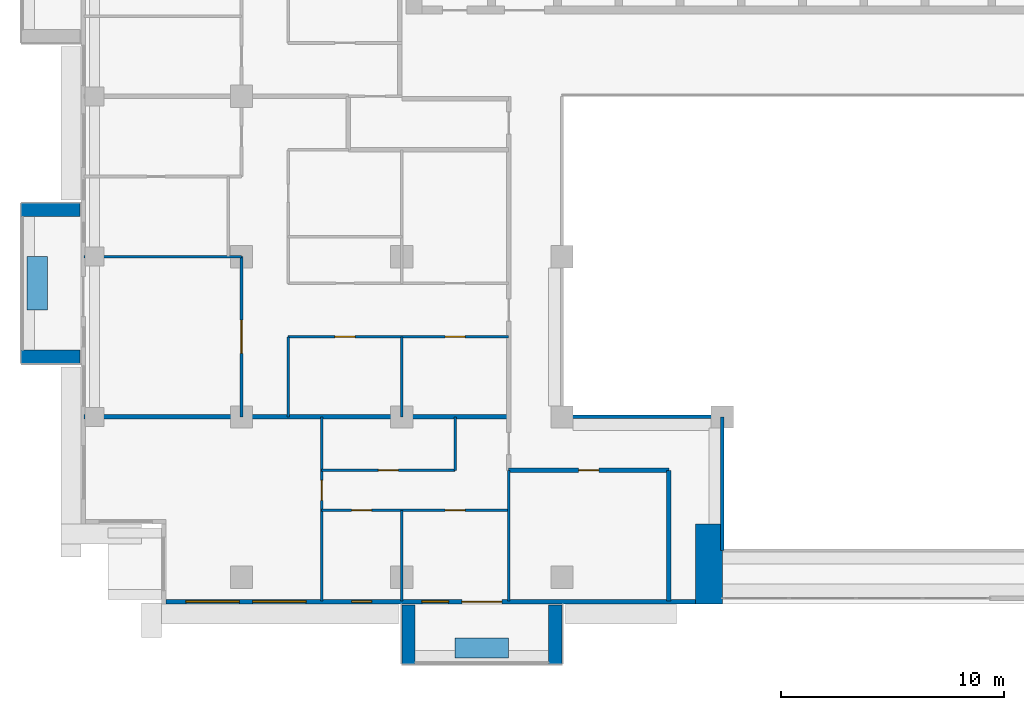
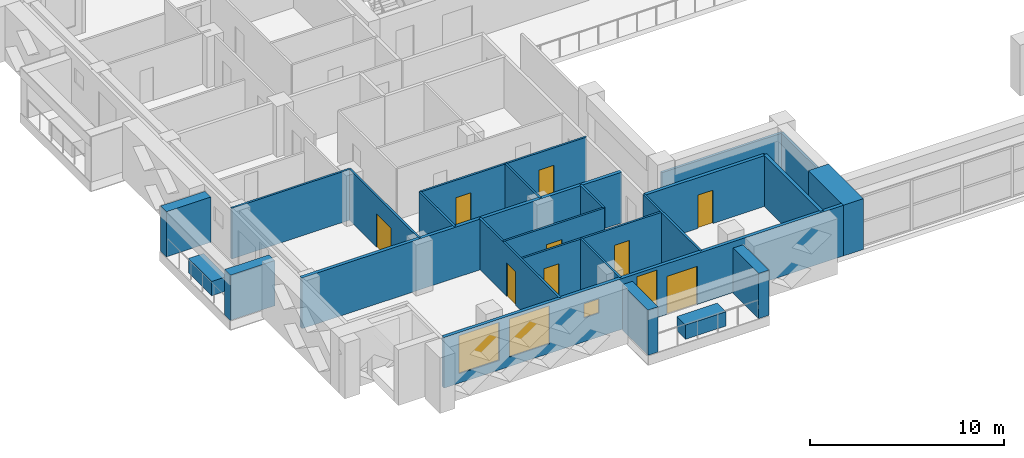
# One storey, part 6 of 20: 24 walls, 9 doors, 4 windows, 13 openings.
"""IFC4 building model written with IfcOpenShell, lengths in metres."""

from ifc_helpers import new_model, si_unit, direction, frame, frame_2d, origin, place, context, subcontext, project, spatial, rectangle, extrude, material, layer, layer_set, type_object, element, fill, save


model = new_model("IFC4")

# Units and contexts
model_context = context("Model", 3, precision=1e-05, world=origin(), true_north=direction((0.0, 1.0)))
body_context = subcontext(model_context, "Body", "Model", "MODEL_VIEW")
ifc_project = project(units=[si_unit("LENGTHUNIT", "METRE"), si_unit("AREAUNIT", "SQUARE_METRE"), si_unit("VOLUMEUNIT", "CUBIC_METRE"), si_unit("PLANEANGLEUNIT", "RADIAN"), si_unit("MASSUNIT", "GRAM", prefix="KILO")], contexts=[model_context])

# Site, building, storey
site_placement = place(None, origin())
site = spatial("IfcSite", under=ifc_project, at=site_placement, CompositionType="ELEMENT")
building_placement = place(site_placement, origin())
building = spatial("IfcBuilding", under=site, at=building_placement, Name="Saffron Iwan Residences", CompositionType="ELEMENT")
storey_placement = place(building_placement, frame((0.0, 0.0, 150.0)))
storey = spatial("IfcBuildingStorey", under=building, at=storey_placement, Name="L39", CompositionType="ELEMENT", Elevation=150.0)

# Walls
ifc_material_1 = material(Name="Fire-rated glazing", Category="glass")
ifc_layer_1 = layer(ifc_material_1, 0.14990234375)
ifc_layer_set_1 = layer_set([ifc_layer_1], Name="Fire-rated glazing")
wall_type_1 = type_object("IfcWallType", Name="Atrium glazed screen 150", PredefinedType="SOLIDWALL", material=ifc_layer_set_1)
wall_1_placement = place(storey_placement, frame((36.0, 48.0, 0.0), z_axis=(0.0, 0.0, 1.0), x_axis=(1.0, 0.0, 0.0)))
element("IfcWall", 1, at=wall_1_placement, inside=storey, type_object=wall_type_1, Name="W-L39-SCREEN-h48-36", PredefinedType="SOLIDWALL", context=body_context, shape_type="SweptSolid", body=[
    extrude(rectangle(XDim=7.199951171875, YDim=0.14990234375, at=frame_2d((3.60009765625, 0.0))), origin(), (0.0, 0.0, 1.0), 2.300048828125),
])
wall_2_placement = place(storey_placement, frame((43.199951171875, 42.0, 0.0), z_axis=(0.0, 0.0, 1.0), x_axis=(0.0, 1.0, 0.0)))
element("IfcWall", 2, at=wall_2_placement, inside=storey, type_object=wall_type_1, Name="W-L39-SCREEN-v43.2-42", PredefinedType="SOLIDWALL", context=body_context, shape_type="SweptSolid", body=[
    extrude(rectangle(XDim=6.0, YDim=0.14990234375, at=frame_2d((3.0, 0.0))), origin(), (0.0, 0.0, 1.0), 2.300048828125),
])
ifc_material_2 = material(Name="Concrete C50/60 white painted", Category="concrete")
ifc_layer_2 = layer(ifc_material_2, 0.60009765625)
ifc_layer_set_2 = layer_set([ifc_layer_2], Name="Concrete C50/60 white painted")
wall_type_2 = type_object("IfcWallType", Name="BALCONY FIN 600", PredefinedType="SOLIDWALL", material=ifc_layer_set_2)
for number, where, z_axis, x_axis, name in (
    (3, (14.35009765625, 57.300048828125, 0.0), (0.0, 0.0, 1.0), (-1.0, 0.0, 0.0), "Balcony fin L39 F8-1a"),
    (4, (14.35009765625, 50.699951171875, 0.0), (0.0, 0.0, 1.0), (-1.0, 0.0, 0.0), "Balcony fin L39 F8-1b"),
    (5, (29.10009765625, 39.550048828125, 0.0), (0.0, 0.0, 1.0), (0.0, -1.0, 0.0), "Balcony fin L39 11-0a"),
    (6, (35.699951171875, 39.550048828125, 0.0), (0.0, 0.0, 1.0), (0.0, -1.0, 0.0), "Balcony fin L39 11-0b"),
):
    element("IfcWall", number, at=place(storey_placement, frame(where, z_axis=z_axis, x_axis=x_axis)), inside=storey, type_object=wall_type_2, Name=name, PredefinedType="SOLIDWALL", context=body_context, shape_type="SweptSolid", body=[
        extrude(rectangle(XDim=2.650146484375, YDim=0.60009765625, at=frame_2d((1.3251953125, 0.0))), origin(), (0.0, 0.0, 1.0), 2.85009765625),
    ])
ifc_material_3 = material(Name="Concrete C35/45 white painted", Category="concrete")
ifc_layer_3 = layer(ifc_material_3, 0.14990234375)
ifc_layer_set_3 = layer_set([ifc_layer_3], Name="Concrete C35/45 white painted")
wall_type_3 = type_object("IfcWallType", Name="BALCONY PLANTER", PredefinedType="SOLIDWALL", material=ifc_layer_set_3)
wall_3_placement = place(storey_placement, frame((12.425048828125, 55.199951171875, 0.0), z_axis=(0.0, 0.0, 1.0), x_axis=(0.0, -1.0, 0.0)))
element("IfcWall", 7, at=wall_3_placement, inside=storey, type_object=wall_type_3, Name="PLANTER L39 F8-1", PredefinedType="SOLIDWALL", context=body_context, shape_type="SweptSolid", body=[
    extrude(rectangle(XDim=2.39990234375, YDim=0.89990234375, at=frame_2d((1.199951171875, 0.0))), origin(), (0.0, 0.0, 1.0), 0.89990234375),
])
wall_4_placement = place(storey_placement, frame((31.199951171875, 37.625, 0.0), z_axis=(0.0, 0.0, 1.0), x_axis=(1.0, 0.0, 0.0)))
element("IfcWall", 8, at=wall_4_placement, inside=storey, type_object=wall_type_3, Name="PLANTER L39 11-0", PredefinedType="SOLIDWALL", context=body_context, shape_type="SweptSolid", body=[
    extrude(rectangle(XDim=2.400146484375, YDim=0.89990234375, at=frame_2d((1.2001953125, 0.0))), origin(), (0.0, 0.0, 1.0), 0.89990234375),
])

# Wall, openings, door, windows
ifc_material_4 = material(Name="Concrete C40/50", Category="concrete")
ifc_layer_4 = layer(ifc_material_4, 0.199951171875)
ifc_layer_set_4 = layer_set([ifc_layer_4], Name="Concrete C40/50")
wall_type_4 = type_object("IfcWallType", Name="EXTERNAL WALL 200", PredefinedType="SOLIDWALL", material=ifc_layer_set_4)
wall_5_placement = place(storey_placement, frame((18.199951171875, 39.699951171875, 0.0), z_axis=(0.0, 0.0, 1.0), x_axis=(1.0, 0.0, 0.0)))
wall_5 = element("IfcWall", 9, at=wall_5_placement, inside=storey, type_object=wall_type_4, Name="External wall L39 F11.0", PredefinedType="SOLIDWALL", context=body_context, shape_type="SweptSolid", body=[
    extrude(rectangle(XDim=23.800048828125, YDim=0.199951171875, at=frame_2d((11.89990234375, 0.0))), origin(), (0.0, 0.0, 1.0), 3.199951171875),
])
opening_1_placement = place(wall_5_placement, frame((13.300048828125, 0.0, 0.0)))
opening_1 = element("IfcOpeningElement", 10, at=opening_1_placement, cuts=wall_5, Name="Opening BD1", PredefinedType="OPENING", context=body_context, shape_type="SweptSolid", body=[
    extrude(rectangle(XDim=1.800048828125, YDim=2.39990234375, at=frame_2d((0.89990234375, 1.199951171875))), frame((0.0, 0.10986328125, 0.0), z_axis=(0.0, -1.0, 0.0), x_axis=(1.0, 0.0, 0.0)), (0.0, 0.0, 1.0), 0.219970703125),
])
opening_2_placement = place(wall_5_placement, frame((0.89990234375, 0.0, 0.60009765625)))
opening_2 = element("IfcOpeningElement", 11, at=opening_2_placement, cuts=wall_5, Name="Opening W1", PredefinedType="OPENING", context=body_context, shape_type="SweptSolid", body=[
    extrude(rectangle(XDim=2.39990234375, YDim=2.39990234375, at=frame_2d((1.199951171875, 1.199951171875))), frame((0.0, 0.10986328125, 0.0), z_axis=(0.0, -1.0, 0.0), x_axis=(1.0, 0.0, 0.0)), (0.0, 0.0, 1.0), 0.219970703125),
])
opening_3_placement = place(wall_5_placement, frame((3.89990234375, 0.0, 0.60009765625)))
opening_3 = element("IfcOpeningElement", 12, at=opening_3_placement, cuts=wall_5, Name="Opening W1", PredefinedType="OPENING", context=body_context, shape_type="SweptSolid", body=[
    extrude(rectangle(XDim=2.39990234375, YDim=2.39990234375, at=frame_2d((1.199951171875, 1.199951171875))), frame((0.0, 0.10986328125, 0.0), z_axis=(0.0, -1.0, 0.0), x_axis=(1.0, 0.0, 0.0)), (0.0, 0.0, 1.0), 0.219970703125),
])
opening_4_placement = place(wall_5_placement, frame((8.35009765625, 0.0, 1.5)))
opening_4 = element("IfcOpeningElement", 13, at=opening_4_placement, cuts=wall_5, Name="Opening W6", PredefinedType="OPENING", context=body_context, shape_type="SweptSolid", body=[
    extrude(rectangle(XDim=0.89990234375, YDim=0.89990234375, at=frame_2d((0.449951171875, 0.449951171875))), frame((0.0, 0.10986328125, 0.0), z_axis=(0.0, -1.0, 0.0), x_axis=(1.0, 0.0, 0.0)), (0.0, 0.0, 1.0), 0.219970703125),
])
opening_5_placement = place(wall_5_placement, frame((11.5, 0.0, 0.60009765625)))
opening_5 = element("IfcOpeningElement", 14, at=opening_5_placement, cuts=wall_5, Name="Opening W3", PredefinedType="OPENING", context=body_context, shape_type="SweptSolid", body=[
    extrude(rectangle(XDim=1.199951171875, YDim=2.39990234375, at=frame_2d((0.60009765625, 1.199951171875))), frame((0.0, 0.10986328125, 0.0), z_axis=(0.0, -1.0, 0.0), x_axis=(1.0, 0.0, 0.0)), (0.0, 0.0, 1.0), 0.219970703125),
])
ifc_material_5 = material(Name="Clear glass, laminated double glazed", Category="glass")
door_type_1 = type_object("IfcDoorType", Name="BALCONY DOOR 1800 x 2400", OperationType="DOUBLE_DOOR_SLIDING", PredefinedType="DOOR", material=ifc_material_5)
door_1_placement = place(opening_1_placement, origin())
door_1 = element("IfcDoor", 15, at=door_1_placement, inside=storey, type_object=door_type_1, Name="Balcony door L39 F11.0", OperationType="DOUBLE_DOOR_SLIDING", OverallHeight=2.39990234375, OverallWidth=1.800048828125, PredefinedType="DOOR", context=body_context, shape_type="SweptSolid", body=[
    extrude(rectangle(XDim=1.800048828125, YDim=2.39990234375, at=frame_2d((0.89990234375, 1.199951171875))), frame((0.0, 0.02490234375, 0.0), z_axis=(0.0, -1.0, 0.0), x_axis=(1.0, 0.0, 0.0)), (0.0, 0.0, 1.0), 0.050048828125),
])
fill(opening_1, door_1)
window_type_1 = type_object("IfcWindowType", Name="WINDOW 1200 x 2400", PartitioningType="SINGLE_PANEL", PredefinedType="WINDOW", material=ifc_material_5)
window_1_placement = place(opening_5_placement, origin())
window_1 = element("IfcWindow", 16, at=window_1_placement, inside=storey, type_object=window_type_1, Name="Window L39 F11.4", OverallHeight=2.39990234375, OverallWidth=1.199951171875, PartitioningType="SINGLE_PANEL", PredefinedType="WINDOW", context=body_context, shape_type="SweptSolid", body=[
    extrude(rectangle(XDim=1.199951171875, YDim=2.39990234375, at=frame_2d((0.60009765625, 1.199951171875))), frame((0.0, 0.030029296875, 0.0), z_axis=(0.0, -1.0, 0.0), x_axis=(1.0, 0.0, 0.0)), (0.0, 0.0, 1.0), 0.06005859375),
])
fill(opening_5, window_1)
window_type_2 = type_object("IfcWindowType", Name="WINDOW 2400 x 2400", PartitioningType="DOUBLE_PANEL_VERTICAL", PredefinedType="WINDOW", material=ifc_material_5)
window_2_placement = place(opening_2_placement, origin())
window_2 = element("IfcWindow", 17, at=window_2_placement, inside=storey, type_object=window_type_2, Name="Window L39 F11.1", OverallHeight=2.39990234375, OverallWidth=2.39990234375, PartitioningType="DOUBLE_PANEL_VERTICAL", PredefinedType="WINDOW", context=body_context, shape_type="SweptSolid", body=[
    extrude(rectangle(XDim=2.39990234375, YDim=2.39990234375, at=frame_2d((1.199951171875, 1.199951171875))), frame((0.0, 0.030029296875, 0.0), z_axis=(0.0, -1.0, 0.0), x_axis=(1.0, 0.0, 0.0)), (0.0, 0.0, 1.0), 0.06005859375),
])
fill(opening_2, window_2)
window_3_placement = place(opening_3_placement, origin())
window_3 = element("IfcWindow", 18, at=window_3_placement, inside=storey, type_object=window_type_2, Name="Window L39 F11.2", OverallHeight=2.39990234375, OverallWidth=2.39990234375, PartitioningType="DOUBLE_PANEL_VERTICAL", PredefinedType="WINDOW", context=body_context, shape_type="SweptSolid", body=[
    extrude(rectangle(XDim=2.39990234375, YDim=2.39990234375, at=frame_2d((1.199951171875, 1.199951171875))), frame((0.0, 0.030029296875, 0.0), z_axis=(0.0, -1.0, 0.0), x_axis=(1.0, 0.0, 0.0)), (0.0, 0.0, 1.0), 0.06005859375),
])
fill(opening_3, window_3)
window_type_3 = type_object("IfcWindowType", Name="WINDOW 900 x 900 BATH", PartitioningType="SINGLE_PANEL", PredefinedType="WINDOW", material=ifc_material_5)
window_4_placement = place(opening_4_placement, origin())
window_4 = element("IfcWindow", 19, at=window_4_placement, inside=storey, type_object=window_type_3, Name="Window L39 F11.3", OverallHeight=0.89990234375, OverallWidth=0.89990234375, PartitioningType="SINGLE_PANEL", PredefinedType="WINDOW", context=body_context, shape_type="SweptSolid", body=[
    extrude(rectangle(XDim=0.89990234375, YDim=0.89990234375, at=frame_2d((0.449951171875, 0.449951171875))), frame((0.0, 0.030029296875, 0.0), z_axis=(0.0, -1.0, 0.0), x_axis=(1.0, 0.0, 0.0)), (0.0, 0.0, 1.0), 0.06005859375),
])
fill(opening_4, window_4)

# Wall
ifc_material_6 = material(Name="Fire-rated gypsum board wall")
ifc_layer_5 = layer(ifc_material_6, 0.199951171875)
ifc_layer_set_5 = layer_set([ifc_layer_5], Name="Fire-rated gypsum board wall")
wall_type_5 = type_object("IfcWallType", Name="Flat demising wall 200", PredefinedType="SOLIDWALL", material=ifc_layer_set_5)
wall_6_placement = place(storey_placement, frame((14.52490234375, 48.0, 0.0), z_axis=(0.0, 0.0, 1.0), x_axis=(1.0, 0.0, 0.0)))
element("IfcWall", 20, at=wall_6_placement, inside=storey, type_object=wall_type_5, Name="W-L39-DEMISE-h48-14.525", PredefinedType="SOLIDWALL", context=body_context, shape_type="SweptSolid", body=[
    extrude(rectangle(XDim=19.0751953125, YDim=0.199951171875, at=frame_2d((9.53759765625, 0.0))), origin(), (0.0, 0.0, 1.0), 3.199951171875),
])

# Wall, openings, doors
ifc_material_7 = material(Name="Gypsum board partition")
ifc_layer_6 = layer(ifc_material_7, 0.1201171875)
ifc_layer_set_6 = layer_set([ifc_layer_6], Name="Gypsum board partition")
wall_type_6 = type_object("IfcWallType", Name="Flat partition 120", PredefinedType="PARTITIONING", material=ifc_layer_set_6)
wall_7_placement = place(storey_placement, frame((25.199951171875, 43.800048828125, 0.0), z_axis=(0.0, 0.0, 1.0), x_axis=(1.0, 0.0, 0.0)))
wall_7 = element("IfcWall", 21, at=wall_7_placement, inside=storey, type_object=wall_type_6, Name="W-L39-PART-h43.8-25.2", PredefinedType="PARTITIONING", context=body_context, shape_type="SweptSolid", body=[
    extrude(rectangle(XDim=8.400146484375, YDim=0.1201171875, at=frame_2d((4.2001953125, 0.0))), origin(), (0.0, 0.0, 1.0), 3.199951171875),
])
opening_6_placement = place(wall_7_placement, frame((1.35009765625, 0.0, 0.0)))
opening_6 = element("IfcOpeningElement", 22, at=opening_6_placement, cuts=wall_7, Name="Opening FD2", PredefinedType="OPENING", context=body_context, shape_type="SweptSolid", body=[
    extrude(rectangle(XDim=0.89990234375, YDim=2.10009765625, at=frame_2d((0.449951171875, 1.050048828125))), frame((0.0, 0.070068359375, 0.0), z_axis=(0.0, -1.0, 0.0), x_axis=(1.0, 0.0, 0.0)), (0.0, 0.0, 1.0), 0.14013671875),
])
opening_7_placement = place(wall_7_placement, frame((5.550048828125, 0.0, 0.0)))
opening_7 = element("IfcOpeningElement", 23, at=opening_7_placement, cuts=wall_7, Name="Opening FD2", PredefinedType="OPENING", context=body_context, shape_type="SweptSolid", body=[
    extrude(rectangle(XDim=0.89990234375, YDim=2.10009765625, at=frame_2d((0.449951171875, 1.050048828125))), frame((0.0, 0.070068359375, 0.0), z_axis=(0.0, -1.0, 0.0), x_axis=(1.0, 0.0, 0.0)), (0.0, 0.0, 1.0), 0.14013671875),
])
ifc_material_8 = material(Name="Timber door", Category="wood")
door_type_2 = type_object("IfcDoorType", Name="Flat door 900", OperationType="NOTDEFINED", PredefinedType="DOOR", material=ifc_material_8)
door_2_placement = place(opening_6_placement, origin())
door_2 = element("IfcDoor", 24, at=door_2_placement, inside=storey, type_object=door_type_2, Name="Door L39-003", OperationType="SINGLE_SWING_LEFT", OverallHeight=2.10009765625, OverallWidth=0.89990234375, PredefinedType="DOOR", context=body_context, shape_type="SweptSolid", body=[
    extrude(rectangle(XDim=0.89990234375, YDim=2.10009765625, at=frame_2d((0.449951171875, 1.050048828125))), frame((0.0, 0.02490234375, 0.0), z_axis=(0.0, -1.0, 0.0), x_axis=(1.0, 0.0, 0.0)), (0.0, 0.0, 1.0), 0.050048828125),
])
fill(opening_6, door_2)
door_3_placement = place(opening_7_placement, origin())
door_3 = element("IfcDoor", 25, at=door_3_placement, inside=storey, type_object=door_type_2, Name="Door L39-004", OperationType="SINGLE_SWING_RIGHT", OverallHeight=2.10009765625, OverallWidth=0.89990234375, PredefinedType="DOOR", context=body_context, shape_type="SweptSolid", body=[
    extrude(rectangle(XDim=0.89990234375, YDim=2.10009765625, at=frame_2d((0.449951171875, 1.050048828125))), frame((0.0, 0.02490234375, 0.0), z_axis=(0.0, -1.0, 0.0), x_axis=(1.0, 0.0, 0.0)), (0.0, 0.0, 1.0), 0.050048828125),
])
fill(opening_7, door_3)

# Wall, opening, door
wall_8_placement = place(storey_placement, frame((25.199951171875, 45.60009765625, 0.0), z_axis=(0.0, 0.0, 1.0), x_axis=(1.0, 0.0, 0.0)))
wall_8 = element("IfcWall", 26, at=wall_8_placement, inside=storey, type_object=wall_type_6, Name="W-L39-PART-h45.6-25.2", PredefinedType="PARTITIONING", context=body_context, shape_type="SweptSolid", body=[
    extrude(rectangle(XDim=6.0, YDim=0.1201171875, at=frame_2d((3.0, 0.0))), origin(), (0.0, 0.0, 1.0), 3.199951171875),
])
opening_8_placement = place(wall_8_placement, frame((2.550048828125, 0.0, 0.0)))
opening_8 = element("IfcOpeningElement", 27, at=opening_8_placement, cuts=wall_8, Name="Opening FD2", PredefinedType="OPENING", context=body_context, shape_type="SweptSolid", body=[
    extrude(rectangle(XDim=0.89990234375, YDim=2.10009765625, at=frame_2d((0.449951171875, 1.050048828125))), frame((0.0, 0.070068359375, 0.0), z_axis=(0.0, -1.0, 0.0), x_axis=(1.0, 0.0, 0.0)), (0.0, 0.0, 1.0), 0.14013671875),
])
door_4_placement = place(opening_8_placement, origin())
door_4 = element("IfcDoor", 28, at=door_4_placement, inside=storey, type_object=door_type_2, Name="Door L39-005", OperationType="SINGLE_SWING_LEFT", OverallHeight=2.10009765625, OverallWidth=0.89990234375, PredefinedType="DOOR", context=body_context, shape_type="SweptSolid", body=[
    extrude(rectangle(XDim=0.89990234375, YDim=2.10009765625, at=frame_2d((0.449951171875, 1.050048828125))), frame((0.0, 0.02490234375, 0.0), z_axis=(0.0, -1.0, 0.0), x_axis=(1.0, 0.0, 0.0)), (0.0, 0.0, 1.0), 0.050048828125),
])
fill(opening_8, door_4)

# Wall, openings, doors
wall_9_placement = place(storey_placement, frame((23.699951171875, 51.60009765625, 0.0), z_axis=(0.0, 0.0, 1.0), x_axis=(1.0, 0.0, 0.0)))
wall_9 = element("IfcWall", 29, at=wall_9_placement, inside=storey, type_object=wall_type_6, Name="W-L39-PART-h51.6-23.7", PredefinedType="PARTITIONING", context=body_context, shape_type="SweptSolid", body=[
    extrude(rectangle(XDim=9.900146484375, YDim=0.1201171875, at=frame_2d((4.9501953125, 0.0))), origin(), (0.0, 0.0, 1.0), 3.199951171875),
])
opening_9_placement = place(wall_9_placement, frame((2.10009765625, 0.0, 0.0)))
opening_9 = element("IfcOpeningElement", 30, at=opening_9_placement, cuts=wall_9, Name="Opening FD2", PredefinedType="OPENING", context=body_context, shape_type="SweptSolid", body=[
    extrude(rectangle(XDim=0.89990234375, YDim=2.10009765625, at=frame_2d((0.449951171875, 1.050048828125))), frame((0.0, 0.070068359375, 0.0), z_axis=(0.0, -1.0, 0.0), x_axis=(1.0, 0.0, 0.0)), (0.0, 0.0, 1.0), 0.14013671875),
])
opening_10_placement = place(wall_9_placement, frame((7.050048828125, 0.0, 0.0)))
opening_10 = element("IfcOpeningElement", 31, at=opening_10_placement, cuts=wall_9, Name="Opening FD2", PredefinedType="OPENING", context=body_context, shape_type="SweptSolid", body=[
    extrude(rectangle(XDim=0.89990234375, YDim=2.10009765625, at=frame_2d((0.449951171875, 1.050048828125))), frame((0.0, 0.070068359375, 0.0), z_axis=(0.0, -1.0, 0.0), x_axis=(1.0, 0.0, 0.0)), (0.0, 0.0, 1.0), 0.14013671875),
])
door_5_placement = place(opening_9_placement, origin())
door_5 = element("IfcDoor", 32, at=door_5_placement, inside=storey, type_object=door_type_2, Name="Door L39-011", OperationType="SINGLE_SWING_LEFT", OverallHeight=2.10009765625, OverallWidth=0.89990234375, PredefinedType="DOOR", context=body_context, shape_type="SweptSolid", body=[
    extrude(rectangle(XDim=0.89990234375, YDim=2.10009765625, at=frame_2d((0.449951171875, 1.050048828125))), frame((0.0, 0.02490234375, 0.0), z_axis=(0.0, -1.0, 0.0), x_axis=(1.0, 0.0, 0.0)), (0.0, 0.0, 1.0), 0.050048828125),
])
fill(opening_9, door_5)
door_6_placement = place(opening_10_placement, origin())
door_6 = element("IfcDoor", 33, at=door_6_placement, inside=storey, type_object=door_type_2, Name="Door L39-014", OperationType="SINGLE_SWING_LEFT", OverallHeight=2.10009765625, OverallWidth=0.89990234375, PredefinedType="DOOR", context=body_context, shape_type="SweptSolid", body=[
    extrude(rectangle(XDim=0.89990234375, YDim=2.10009765625, at=frame_2d((0.449951171875, 1.050048828125))), frame((0.0, 0.02490234375, 0.0), z_axis=(0.0, -1.0, 0.0), x_axis=(1.0, 0.0, 0.0)), (0.0, 0.0, 1.0), 0.050048828125),
])
fill(opening_10, door_6)

# Wall
wall_10_placement = place(storey_placement, frame((14.52490234375, 55.199951171875, 0.0), z_axis=(0.0, 0.0, 1.0), x_axis=(1.0, 0.0, 0.0)))
element("IfcWall", 34, at=wall_10_placement, inside=storey, type_object=wall_type_6, Name="W-L39-PART-h55.2-14.525", PredefinedType="PARTITIONING", context=body_context, shape_type="SweptSolid", body=[
    extrude(rectangle(XDim=7.0751953125, YDim=0.1201171875, at=frame_2d((3.53759765625, 0.0))), origin(), (0.0, 0.0, 1.0), 3.199951171875),
])

# Wall, opening, door
wall_11_placement = place(storey_placement, frame((21.60009765625, 48.0, 0.0), z_axis=(0.0, 0.0, 1.0), x_axis=(0.0, 1.0, 0.0)))
wall_11 = element("IfcWall", 35, at=wall_11_placement, inside=storey, type_object=wall_type_6, Name="W-L39-PART-v21.6-48", PredefinedType="PARTITIONING", context=body_context, shape_type="SweptSolid", body=[
    extrude(rectangle(XDim=7.199951171875, YDim=0.1201171875, at=frame_2d((3.60009765625, 0.0))), origin(), (0.0, 0.0, 1.0), 3.199951171875),
])
opening_11_placement = place(wall_11_placement, frame((2.85009765625, 0.0, 0.0)))
opening_11 = element("IfcOpeningElement", 36, at=opening_11_placement, cuts=wall_11, Name="Opening FD4", PredefinedType="OPENING", context=body_context, shape_type="SweptSolid", body=[
    extrude(rectangle(XDim=1.5, YDim=2.10009765625, at=frame_2d((0.75, 1.050048828125))), frame((0.0, 0.070068359375, 0.0), z_axis=(0.0, -1.0, 0.0), x_axis=(1.0, 0.0, 0.0)), (0.0, 0.0, 1.0), 0.14013671875),
])
door_type_3 = type_object("IfcDoorType", Name="Double door 1500", OperationType="NOTDEFINED", PredefinedType="DOOR", material=ifc_material_8)
door_7_placement = place(opening_11_placement, origin())
door_7 = element("IfcDoor", 37, at=door_7_placement, inside=storey, type_object=door_type_3, Name="Door L39-008", OperationType="SINGLE_SWING_LEFT", OverallHeight=2.10009765625, OverallWidth=1.5, PredefinedType="DOOR", context=body_context, shape_type="SweptSolid", body=[
    extrude(rectangle(XDim=1.5, YDim=2.10009765625, at=frame_2d((0.75, 1.050048828125))), frame((0.0, 0.02490234375, 0.0), z_axis=(0.0, -1.0, 0.0), x_axis=(1.0, 0.0, 0.0)), (0.0, 0.0, 1.0), 0.050048828125),
])
fill(opening_11, door_7)

# Wall
wall_12_placement = place(storey_placement, frame((23.699951171875, 48.0, 0.0), z_axis=(0.0, 0.0, 1.0), x_axis=(0.0, 1.0, 0.0)))
element("IfcWall", 38, at=wall_12_placement, inside=storey, type_object=wall_type_6, Name="W-L39-PART-v23.7-48", PredefinedType="PARTITIONING", context=body_context, shape_type="SweptSolid", body=[
    extrude(rectangle(XDim=3.60009765625, YDim=0.1201171875, at=frame_2d((1.800048828125, 0.0))), origin(), (0.0, 0.0, 1.0), 3.199951171875),
])

# Wall, opening, door
wall_13_placement = place(storey_placement, frame((25.199951171875, 39.72509765625, 0.0), z_axis=(0.0, 0.0, 1.0), x_axis=(0.0, 1.0, 0.0)))
wall_13 = element("IfcWall", 39, at=wall_13_placement, inside=storey, type_object=wall_type_6, Name="W-L39-PART-v25.2-39.725", PredefinedType="PARTITIONING", context=body_context, shape_type="SweptSolid", body=[
    extrude(rectangle(XDim=8.27490234375, YDim=0.1201171875, at=frame_2d((4.137451171875, 0.0))), origin(), (0.0, 0.0, 1.0), 3.199951171875),
])
opening_12_placement = place(wall_13_placement, frame((4.52490234375, 0.0, 0.0)))
opening_12 = element("IfcOpeningElement", 40, at=opening_12_placement, cuts=wall_13, Name="Opening FD2", PredefinedType="OPENING", context=body_context, shape_type="SweptSolid", body=[
    extrude(rectangle(XDim=0.89990234375, YDim=2.10009765625, at=frame_2d((0.449951171875, 1.050048828125))), frame((0.0, 0.070068359375, 0.0), z_axis=(0.0, -1.0, 0.0), x_axis=(1.0, 0.0, 0.0)), (0.0, 0.0, 1.0), 0.14013671875),
])
door_8_placement = place(opening_12_placement, origin())
door_8 = element("IfcDoor", 41, at=door_8_placement, inside=storey, type_object=door_type_2, Name="Door L39-002", OperationType="SINGLE_SWING_LEFT", OverallHeight=2.10009765625, OverallWidth=0.89990234375, PredefinedType="DOOR", context=body_context, shape_type="SweptSolid", body=[
    extrude(rectangle(XDim=0.89990234375, YDim=2.10009765625, at=frame_2d((0.449951171875, 1.050048828125))), frame((0.0, 0.02490234375, 0.0), z_axis=(0.0, -1.0, 0.0), x_axis=(1.0, 0.0, 0.0)), (0.0, 0.0, 1.0), 0.050048828125),
])
fill(opening_12, door_8)

# Walls
wall_14_placement = place(storey_placement, frame((28.800048828125, 39.72509765625, 0.0), z_axis=(0.0, 0.0, 1.0), x_axis=(0.0, 1.0, 0.0)))
element("IfcWall", 42, at=wall_14_placement, inside=storey, type_object=wall_type_6, Name="W-L39-PART-v28.8-39.725", PredefinedType="PARTITIONING", context=body_context, shape_type="SweptSolid", body=[
    extrude(rectangle(XDim=4.074951171875, YDim=0.1201171875, at=frame_2d((2.03759765625, 0.0))), origin(), (0.0, 0.0, 1.0), 3.199951171875),
])
wall_15_placement = place(storey_placement, frame((28.800048828125, 48.0, 0.0), z_axis=(0.0, 0.0, 1.0), x_axis=(0.0, 1.0, 0.0)))
element("IfcWall", 43, at=wall_15_placement, inside=storey, type_object=wall_type_6, Name="W-L39-PART-v28.8-48", PredefinedType="PARTITIONING", context=body_context, shape_type="SweptSolid", body=[
    extrude(rectangle(XDim=3.60009765625, YDim=0.1201171875, at=frame_2d((1.800048828125, 0.0))), origin(), (0.0, 0.0, 1.0), 3.199951171875),
])
wall_16_placement = place(storey_placement, frame((31.199951171875, 45.60009765625, 0.0), z_axis=(0.0, 0.0, 1.0), x_axis=(0.0, 1.0, 0.0)))
element("IfcWall", 44, at=wall_16_placement, inside=storey, type_object=wall_type_6, Name="W-L39-PART-v31.2-45.6", PredefinedType="PARTITIONING", context=body_context, shape_type="SweptSolid", body=[
    extrude(rectangle(XDim=2.39990234375, YDim=0.1201171875, at=frame_2d((1.199951171875, 0.0))), origin(), (0.0, 0.0, 1.0), 3.199951171875),
])
wall_17_placement = place(storey_placement, frame((33.60009765625, 39.72509765625, 0.0), z_axis=(0.0, 0.0, 1.0), x_axis=(0.0, 1.0, 0.0)))
element("IfcWall", 45, at=wall_17_placement, inside=storey, type_object=wall_type_6, Name="W-L39-PART-v33.6-39.725", PredefinedType="PARTITIONING", context=body_context, shape_type="SweptSolid", body=[
    extrude(rectangle(XDim=5.875, YDim=0.1201171875, at=frame_2d((2.9375, 0.0))), origin(), (0.0, 0.0, 1.0), 3.199951171875),
])

# Wall, opening, door
ifc_layer_7 = layer(ifc_material_6, 0.199951171875)
ifc_layer_set_7 = layer_set([ifc_layer_7], Name="Fire-rated gypsum board wall")
wall_type_7 = type_object("IfcWallType", Name="Gallery wall 200", PredefinedType="SOLIDWALL", material=ifc_layer_set_7)
wall_18_placement = place(storey_placement, frame((33.60009765625, 45.60009765625, 0.0), z_axis=(0.0, 0.0, 1.0), x_axis=(1.0, 0.0, 0.0)))
wall_18 = element("IfcWall", 46, at=wall_18_placement, inside=storey, type_object=wall_type_7, Name="W-L39-CORR-h45.6-33.6", PredefinedType="SOLIDWALL", context=body_context, shape_type="SweptSolid", body=[
    extrude(rectangle(XDim=7.199951171875, YDim=0.199951171875, at=frame_2d((3.60009765625, 0.0))), origin(), (0.0, 0.0, 1.0), 3.199951171875),
])
opening_13_placement = place(wall_18_placement, frame((3.14990234375, 0.0, 0.0)))
opening_13 = element("IfcOpeningElement", 47, at=opening_13_placement, cuts=wall_18, Name="Opening FD2", PredefinedType="OPENING", context=body_context, shape_type="SweptSolid", body=[
    extrude(rectangle(XDim=0.89990234375, YDim=2.10009765625, at=frame_2d((0.449951171875, 1.050048828125))), frame((0.0, 0.10986328125, 0.0), z_axis=(0.0, -1.0, 0.0), x_axis=(1.0, 0.0, 0.0)), (0.0, 0.0, 1.0), 0.219970703125),
])
door_9_placement = place(opening_13_placement, origin())
door_9 = element("IfcDoor", 48, at=door_9_placement, inside=storey, type_object=door_type_2, Name="Door L39-006", OperationType="SINGLE_SWING_LEFT", OverallHeight=2.10009765625, OverallWidth=0.89990234375, PredefinedType="DOOR", context=body_context, shape_type="SweptSolid", body=[
    extrude(rectangle(XDim=0.89990234375, YDim=2.10009765625, at=frame_2d((0.449951171875, 1.050048828125))), frame((0.0, 0.02490234375, 0.0), z_axis=(0.0, -1.0, 0.0), x_axis=(1.0, 0.0, 0.0)), (0.0, 0.0, 1.0), 0.050048828125),
])
fill(opening_13, door_9)

# Walls
wall_19_placement = place(storey_placement, frame((40.800048828125, 39.72509765625, 0.0), z_axis=(0.0, 0.0, 1.0), x_axis=(0.0, 1.0, 0.0)))
element("IfcWall", 49, at=wall_19_placement, inside=storey, type_object=wall_type_7, Name="W-L39-CORR-v40.8-39.725", PredefinedType="SOLIDWALL", context=body_context, shape_type="SweptSolid", body=[
    extrude(rectangle(XDim=5.875, YDim=0.199951171875, at=frame_2d((2.9375, 0.0))), origin(), (0.0, 0.0, 1.0), 3.199951171875),
])
ifc_material_9 = material(Name="Concrete C50/60", Category="concrete")
ifc_layer_8 = layer(ifc_material_9, 1.199951171875)
ifc_layer_set_8 = layer_set([ifc_layer_8], Name="Concrete C50/60")
wall_type_8 = type_object("IfcWallType", Name="WALL IWAN PIER 1200 C50/60 3200 HIGH", PredefinedType="SHEAR", material=ifc_layer_set_8)
wall_20_placement = place(storey_placement, frame((42.60009765625, 39.60009765625, 0.0), z_axis=(0.0, 0.0, 1.0), x_axis=(0.0, 1.0, 0.0)))
element("IfcWall", 50, at=wall_20_placement, inside=storey, type_object=wall_type_8, Name="IWAN PIER", PredefinedType="SHEAR", context=body_context, shape_type="SweptSolid", body=[
    extrude(rectangle(XDim=3.599853515625, YDim=1.199951171875, at=frame_2d((1.7998046875, 0.0))), origin(), (0.0, 0.0, 1.0), 3.199951171875),
])

save(model, "model.ifc")
